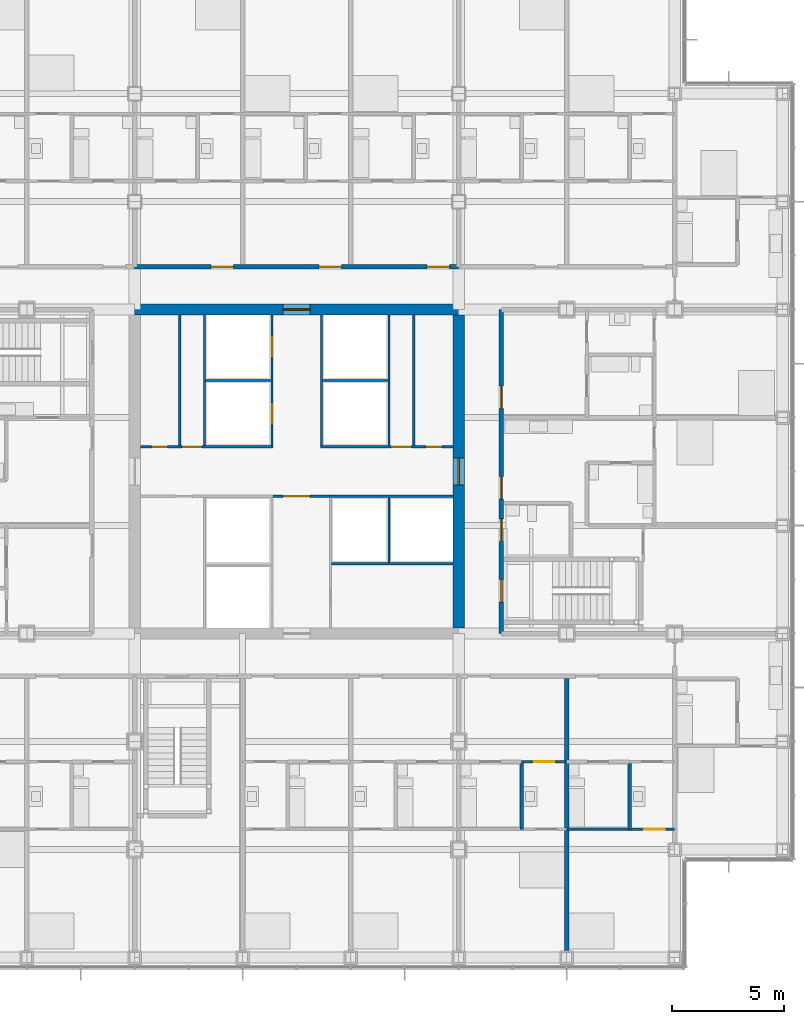
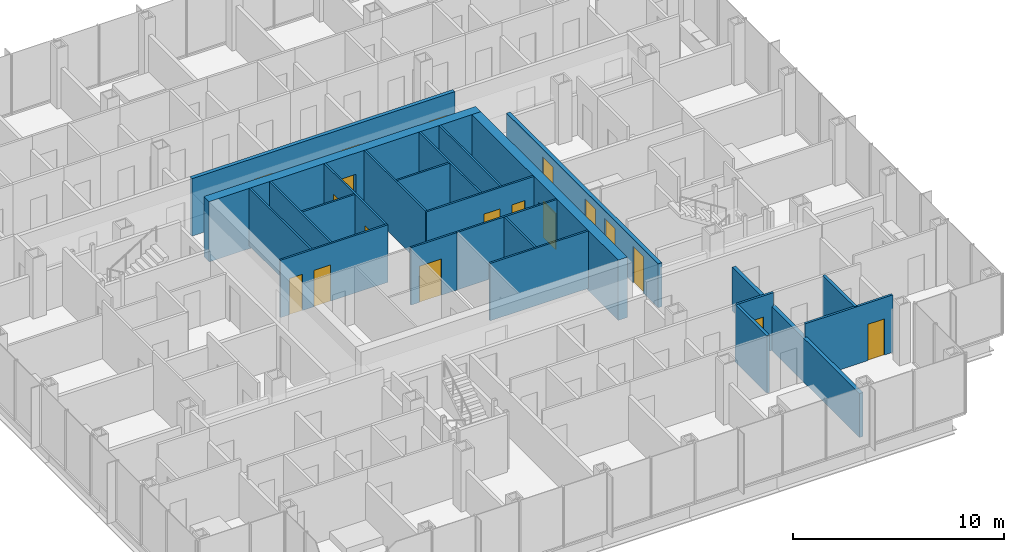
# One storey, part 16 of 22: 23 walls, 18 doors, 18 openings.
"""IFC4 building model written with IfcOpenShell, lengths in metres."""

from ifc_helpers import new_model, si_unit, direction, frame, frame_2d, origin, place, context, subcontext, project, spatial, rectangle, extrude, material, layer, layer_set, type_object, element, fill, save


model = new_model("IFC4")

# Units and contexts
model_context = context("Model", 3, precision=1e-05, world=origin(), true_north=direction((0.0, 1.0)))
body_context = subcontext(model_context, "Body", "Model", "MODEL_VIEW")
ifc_project = project(units=[si_unit("LENGTHUNIT", "METRE"), si_unit("AREAUNIT", "SQUARE_METRE"), si_unit("VOLUMEUNIT", "CUBIC_METRE"), si_unit("PLANEANGLEUNIT", "RADIAN"), si_unit("MASSUNIT", "GRAM", prefix="KILO")], contexts=[model_context])

# Site, building, storey
site_placement = place(None, origin())
site = spatial("IfcSite", under=ifc_project, at=site_placement, CompositionType="ELEMENT")
building_placement = place(site_placement, origin())
building = spatial("IfcBuilding", under=site, at=building_placement, Name="Kvirike Care Tower", CompositionType="ELEMENT")
storey_placement = place(building_placement, frame((0.0, 0.0, 72.5)))
storey = spatial("IfcBuildingStorey", under=building, at=storey_placement, Name="L19", CompositionType="ELEMENT", Elevation=72.5)

# Walls
ifc_material_1 = material(Name="Moisture-resistant board partition", Category="gypsum")
ifc_layer_1 = layer(ifc_material_1, 0.14990234375)
ifc_layer_set_1 = layer_set([ifc_layer_1], Name="BATHROOM WALL 150")
wall_type_1 = type_object("IfcWallType", Name="BATHROOM WALL 150", PredefinedType="PARTITIONING", material=ifc_layer_set_1)
for number, where, z_axis, x_axis, name in (
    (1, (31.60009765625, 20.10009765625, 0.0), (0.0, 0.0, 1.0), (0.0, 1.0, 0.0), "Bathroom Wall 150 L19"),
    (2, (36.39990234375, 20.10009765625, 0.0), (0.0, 0.0, 1.0), (0.0, 1.0, 0.0), "Bathroom Wall 150 L19"),
):
    element("IfcWall", number, at=place(storey_placement, frame(where, z_axis=z_axis, x_axis=x_axis)), inside=storey, type_object=wall_type_1, Name=name, PredefinedType="PARTITIONING", context=body_context, shape_type="SweptSolid", body=[
        extrude(rectangle(XDim=3.0, YDim=0.14990234375, at=frame_2d((1.5, 0.0))), origin(), (0.0, 0.0, 1.0), 3.330078125),
    ])

# Wall, opening, door
ifc_material_2 = material(Name="Concrete C60/75", Category="concrete")
ifc_layer_2 = layer(ifc_material_2, 0.5)
ifc_layer_set_2 = layer_set([ifc_layer_2], Name="CORE WALL 500 C60-75")
wall_type_2 = type_object("IfcWallType", Name="CORE WALL 500 C60-75", PredefinedType="SHEAR", material=ifc_layer_set_2)
wall_1_placement = place(storey_placement, frame((29.050048828125, 43.199951171875, -0.169921875), z_axis=(0.0, 0.0, 1.0), x_axis=(-1.0, 0.0, 0.0)))
wall_1 = element("IfcWall", 3, at=wall_1_placement, inside=storey, type_object=wall_type_2, Name="Core wall N L19", PredefinedType="SHEAR", context=body_context, shape_type="SweptSolid", body=[
    extrude(rectangle(XDim=14.900146484375, YDim=0.5, at=frame_2d((7.4501953125, 0.0))), origin(), (0.0, 0.0, 1.0), 3.5),
])
opening_1_placement = place(wall_1_placement, frame((6.85009765625, 0.0, 0.169921875)))
opening_1 = element("IfcOpeningElement", 4, at=opening_1_placement, cuts=wall_1, Name="Opening 19-101", PredefinedType="OPENING", context=body_context, shape_type="SweptSolid", body=[
    extrude(rectangle(XDim=1.199951171875, YDim=2.10009765625, at=frame_2d((0.60009765625, 1.050048828125))), frame((0.0, 0.260498046875, 0.0), z_axis=(0.0, -1.0, 0.0), x_axis=(1.0, 0.0, 0.0)), (0.0, 0.0, 1.0), 0.52099609375),
])
ifc_material_3 = material(Name="Timber door set", Category="wood")
door_type_1 = type_object("IfcDoorType", Name="CORE DOOR 1200", OperationType="SINGLE_SWING_LEFT", PredefinedType="DOOR", material=ifc_material_3)
door_1_placement = place(opening_1_placement, origin())
door_1 = element("IfcDoor", 5, at=door_1_placement, inside=storey, type_object=door_type_1, Name="Core door N L19", OperationType="SINGLE_SWING_LEFT", OverallHeight=2.10009765625, OverallWidth=1.199951171875, PredefinedType="DOOR", context=body_context, shape_type="SweptSolid", body=[
    extrude(rectangle(XDim=1.199951171875, YDim=2.10009765625, at=frame_2d((0.60009765625, 1.050048828125))), frame((0.0, 0.02685546875, 0.0), z_axis=(0.0, -1.0, 0.0), x_axis=(1.0, 0.0, 0.0)), (0.0, 0.0, 1.0), 0.053955078125),
])
fill(opening_1, door_1)

wall_2_placement = place(storey_placement, frame((28.800048828125, 29.050048828125, -0.169921875), z_axis=(0.0, 0.0, 1.0), x_axis=(0.0, 1.0, 0.0)))
wall_2 = element("IfcWall", 6, at=wall_2_placement, inside=storey, type_object=wall_type_2, Name="Core wall E L19", PredefinedType="SHEAR", context=body_context, shape_type="SweptSolid", body=[
    extrude(rectangle(XDim=13.89990234375, YDim=0.5, at=frame_2d((6.949951171875, 0.0))), origin(), (0.0, 0.0, 1.0), 3.5),
])
opening_2_placement = place(wall_2_placement, frame((6.35009765625, 0.0, 0.169921875)))
opening_2 = element("IfcOpeningElement", 7, at=opening_2_placement, cuts=wall_2, Name="Opening 19-100", PredefinedType="OPENING", context=body_context, shape_type="SweptSolid", body=[
    extrude(rectangle(XDim=1.199951171875, YDim=2.10009765625, at=frame_2d((0.60009765625, 1.050048828125))), frame((0.0, 0.260498046875, 0.0), z_axis=(0.0, -1.0, 0.0), x_axis=(1.0, 0.0, 0.0)), (0.0, 0.0, 1.0), 0.52099609375),
])
door_2_placement = place(opening_2_placement, origin())
door_2 = element("IfcDoor", 8, at=door_2_placement, inside=storey, type_object=door_type_1, Name="Core door E L19", OperationType="SINGLE_SWING_LEFT", OverallHeight=2.10009765625, OverallWidth=1.199951171875, PredefinedType="DOOR", context=body_context, shape_type="SweptSolid", body=[
    extrude(rectangle(XDim=1.199951171875, YDim=2.10009765625, at=frame_2d((0.60009765625, 1.050048828125))), frame((0.0, 0.02685546875, 0.0), z_axis=(0.0, -1.0, 0.0), x_axis=(1.0, 0.0, 0.0)), (0.0, 0.0, 1.0), 0.053955078125),
])
fill(opening_2, door_2)

# Wall, openings, doors
ifc_material_4 = material(Name="Plasterboard corridor wall", Category="gypsum")
ifc_layer_3 = layer(ifc_material_4, 0.199951171875)
ifc_layer_set_3 = layer_set([ifc_layer_3], Name="CORRIDOR WALL 200")
wall_type_3 = type_object("IfcWallType", Name="CORRIDOR WALL 200", PredefinedType="PARTITIONING", material=ifc_layer_set_3)
wall_3_placement = place(storey_placement, frame((28.800048828125, 45.10009765625, 0.0), z_axis=(0.0, 0.0, 1.0), x_axis=(-1.0, 0.0, 0.0)))
wall_3 = element("IfcWall", 9, at=wall_3_placement, inside=storey, type_object=wall_type_3, Name="Corridor Wall 200 L19", PredefinedType="PARTITIONING", context=body_context, shape_type="SweptSolid", body=[
    extrude(rectangle(XDim=14.400146484375, YDim=0.199951171875, at=frame_2d((7.2001953125, 0.0))), origin(), (0.0, 0.0, 1.0), 3.330078125),
])
opening_3_placement = place(wall_3_placement, frame((0.39990234375, 0.0, 0.0)))
opening_3 = element("IfcOpeningElement", 10, at=opening_3_placement, cuts=wall_3, Name="Opening 19-052", PredefinedType="OPENING", context=body_context, shape_type="SweptSolid", body=[
    extrude(rectangle(XDim=1.0, YDim=2.10009765625, at=frame_2d((0.5, 1.050048828125))), frame((0.0, 0.110595703125, 0.0), z_axis=(0.0, -1.0, 0.0), x_axis=(1.0, 0.0, 0.0)), (0.0, 0.0, 1.0), 0.220947265625),
])
opening_4_placement = place(wall_3_placement, frame((5.199951171875, 0.0, 0.0)))
opening_4 = element("IfcOpeningElement", 11, at=opening_4_placement, cuts=wall_3, Name="Opening 19-053", PredefinedType="OPENING", context=body_context, shape_type="SweptSolid", body=[
    extrude(rectangle(XDim=1.0, YDim=2.10009765625, at=frame_2d((0.5, 1.050048828125))), frame((0.0, 0.110595703125, 0.0), z_axis=(0.0, -1.0, 0.0), x_axis=(1.0, 0.0, 0.0)), (0.0, 0.0, 1.0), 0.220947265625),
])
opening_5_placement = place(wall_3_placement, frame((10.0, 0.0, 0.0)))
opening_5 = element("IfcOpeningElement", 12, at=opening_5_placement, cuts=wall_3, Name="Opening 19-054", PredefinedType="OPENING", context=body_context, shape_type="SweptSolid", body=[
    extrude(rectangle(XDim=1.0, YDim=2.10009765625, at=frame_2d((0.5, 1.050048828125))), frame((0.0, 0.110595703125, 0.0), z_axis=(0.0, -1.0, 0.0), x_axis=(1.0, 0.0, 0.0)), (0.0, 0.0, 1.0), 0.220947265625),
])
ifc_material_5 = material(Name="Timber door set", Category="wood")
door_type_2 = type_object("IfcDoorType", Name="FLAT ENTRANCE DOOR 1000", OperationType="SINGLE_SWING_LEFT", PredefinedType="DOOR", material=ifc_material_5)
door_3_placement = place(opening_3_placement, frame((1.0, 0.0, 0.0), z_axis=(0.0, 0.0, 1.0), x_axis=(-1.0, 0.0, 0.0)))
door_3 = element("IfcDoor", 13, at=door_3_placement, inside=storey, type_object=door_type_2, Name="Studio apartment entrance", OperationType="SINGLE_SWING_LEFT", OverallHeight=2.10009765625, OverallWidth=1.0, PredefinedType="DOOR", context=body_context, shape_type="SweptSolid", body=[
    extrude(rectangle(XDim=1.0, YDim=2.10009765625, at=frame_2d((0.5, 1.050048828125))), frame((0.0, 0.02685546875, 0.0), z_axis=(0.0, -1.0, 0.0), x_axis=(1.0, 0.0, 0.0)), (0.0, 0.0, 1.0), 0.053955078125),
])
fill(opening_3, door_3)
door_4_placement = place(opening_4_placement, frame((1.0, 0.0, 0.0), z_axis=(0.0, 0.0, 1.0), x_axis=(-1.0, 0.0, 0.0)))
door_4 = element("IfcDoor", 14, at=door_4_placement, inside=storey, type_object=door_type_2, Name="Studio apartment entrance", OperationType="SINGLE_SWING_RIGHT", OverallHeight=2.10009765625, OverallWidth=1.0, PredefinedType="DOOR", context=body_context, shape_type="SweptSolid", body=[
    extrude(rectangle(XDim=1.0, YDim=2.10009765625, at=frame_2d((0.5, 1.050048828125))), frame((0.0, 0.02685546875, 0.0), z_axis=(0.0, -1.0, 0.0), x_axis=(1.0, 0.0, 0.0)), (0.0, 0.0, 1.0), 0.053955078125),
])
fill(opening_4, door_4)
door_5_placement = place(opening_5_placement, frame((1.0, 0.0, 0.0), z_axis=(0.0, 0.0, 1.0), x_axis=(-1.0, 0.0, 0.0)))
door_5 = element("IfcDoor", 15, at=door_5_placement, inside=storey, type_object=door_type_2, Name="Studio apartment entrance", OperationType="SINGLE_SWING_LEFT", OverallHeight=2.10009765625, OverallWidth=1.0, PredefinedType="DOOR", context=body_context, shape_type="SweptSolid", body=[
    extrude(rectangle(XDim=1.0, YDim=2.10009765625, at=frame_2d((0.5, 1.050048828125))), frame((0.0, 0.02685546875, 0.0), z_axis=(0.0, -1.0, 0.0), x_axis=(1.0, 0.0, 0.0)), (0.0, 0.0, 1.0), 0.053955078125),
])
fill(opening_5, door_5)

wall_4_placement = place(storey_placement, frame((30.699951171875, 28.800048828125, 0.0), z_axis=(0.0, 0.0, 1.0), x_axis=(0.0, 1.0, 0.0)))
wall_4 = element("IfcWall", 16, at=wall_4_placement, inside=storey, type_object=wall_type_3, Name="Corridor Wall 200 L19", PredefinedType="PARTITIONING", context=body_context, shape_type="SweptSolid", body=[
    extrude(rectangle(XDim=14.39990234375, YDim=0.199951171875, at=frame_2d((7.199951171875, 0.0))), origin(), (0.0, 0.0, 1.0), 2.550048828125),
])
opening_6_placement = place(wall_4_placement, frame((1.39990234375, 0.0, 0.0)))
opening_6 = element("IfcOpeningElement", 17, at=opening_6_placement, cuts=wall_4, Name="Opening 19-072", PredefinedType="OPENING", context=body_context, shape_type="SweptSolid", body=[
    extrude(rectangle(XDim=1.0, YDim=2.10009765625, at=frame_2d((0.5, 1.050048828125))), frame((0.0, 0.110595703125, 0.0), z_axis=(0.0, -1.0, 0.0), x_axis=(1.0, 0.0, 0.0)), (0.0, 0.0, 1.0), 0.220947265625),
])
opening_7_placement = place(wall_4_placement, frame((4.10009765625, 0.0, 0.0)))
opening_7 = element("IfcOpeningElement", 18, at=opening_7_placement, cuts=wall_4, Name="Opening 19-073", PredefinedType="OPENING", context=body_context, shape_type="SweptSolid", body=[
    extrude(rectangle(XDim=1.0, YDim=2.10009765625, at=frame_2d((0.5, 1.050048828125))), frame((0.0, 0.110595703125, 0.0), z_axis=(0.0, -1.0, 0.0), x_axis=(1.0, 0.0, 0.0)), (0.0, 0.0, 1.0), 0.220947265625),
])
opening_8_placement = place(wall_4_placement, frame((5.97509765625, 0.0, 0.0)))
opening_8 = element("IfcOpeningElement", 19, at=opening_8_placement, cuts=wall_4, Name="Opening 19-074", PredefinedType="OPENING", context=body_context, shape_type="SweptSolid", body=[
    extrude(rectangle(XDim=1.0, YDim=2.10009765625, at=frame_2d((0.5, 1.050048828125))), frame((0.0, 0.110595703125, 0.0), z_axis=(0.0, -1.0, 0.0), x_axis=(1.0, 0.0, 0.0)), (0.0, 0.0, 1.0), 0.220947265625),
])
opening_9_placement = place(wall_4_placement, frame((10.0, 0.0, 0.0)))
opening_9 = element("IfcOpeningElement", 20, at=opening_9_placement, cuts=wall_4, Name="Opening 19-075", PredefinedType="OPENING", context=body_context, shape_type="SweptSolid", body=[
    extrude(rectangle(XDim=1.0, YDim=2.10009765625, at=frame_2d((0.5, 1.050048828125))), frame((0.0, 0.110595703125, 0.0), z_axis=(0.0, -1.0, 0.0), x_axis=(1.0, 0.0, 0.0)), (0.0, 0.0, 1.0), 0.220947265625),
])
door_6_placement = place(opening_8_placement, frame((1.0, 0.0, 0.0), z_axis=(0.0, 0.0, 1.0), x_axis=(-1.0, 0.0, 0.0)))
door_6 = element("IfcDoor", 21, at=door_6_placement, inside=storey, type_object=door_type_2, Name="One-bedroom apartment entrance", OperationType="SINGLE_SWING_LEFT", OverallHeight=2.10009765625, OverallWidth=1.0, PredefinedType="DOOR", context=body_context, shape_type="SweptSolid", body=[
    extrude(rectangle(XDim=1.0, YDim=2.10009765625, at=frame_2d((0.5, 1.050048828125))), frame((0.0, 0.02685546875, 0.0), z_axis=(0.0, -1.0, 0.0), x_axis=(1.0, 0.0, 0.0)), (0.0, 0.0, 1.0), 0.053955078125),
])
fill(opening_8, door_6)
door_7_placement = place(opening_9_placement, frame((1.0, 0.0, 0.0), z_axis=(0.0, 0.0, 1.0), x_axis=(-1.0, 0.0, 0.0)))
door_7 = element("IfcDoor", 22, at=door_7_placement, inside=storey, type_object=door_type_2, Name="Studio apartment entrance", OperationType="SINGLE_SWING_LEFT", OverallHeight=2.10009765625, OverallWidth=1.0, PredefinedType="DOOR", context=body_context, shape_type="SweptSolid", body=[
    extrude(rectangle(XDim=1.0, YDim=2.10009765625, at=frame_2d((0.5, 1.050048828125))), frame((0.0, 0.02685546875, 0.0), z_axis=(0.0, -1.0, 0.0), x_axis=(1.0, 0.0, 0.0)), (0.0, 0.0, 1.0), 0.053955078125),
])
fill(opening_9, door_7)
ifc_material_6 = material(Name="Timber door set", Category="wood")
door_type_3 = type_object("IfcDoorType", Name="STAIR DOOR 1000", OperationType="SINGLE_SWING_LEFT", PredefinedType="DOOR", material=ifc_material_6)
door_8_placement = place(opening_6_placement, frame((1.0, 0.0, 0.0), z_axis=(0.0, 0.0, 1.0), x_axis=(-1.0, 0.0, 0.0)))
door_8 = element("IfcDoor", 23, at=door_8_placement, inside=storey, type_object=door_type_3, Name="Stair 2 door", OperationType="SINGLE_SWING_LEFT", OverallHeight=2.10009765625, OverallWidth=1.0, PredefinedType="DOOR", context=body_context, shape_type="SweptSolid", body=[
    extrude(rectangle(XDim=1.0, YDim=2.10009765625, at=frame_2d((0.5, 1.050048828125))), frame((0.0, 0.031982421875, 0.0), z_axis=(0.0, -1.0, 0.0), x_axis=(1.0, 0.0, 0.0)), (0.0, 0.0, 1.0), 0.06396484375),
])
fill(opening_6, door_8)
ifc_material_7 = material(Name="Timber door set", Category="wood")
door_type_4 = type_object("IfcDoorType", Name="WC DOOR 1000", OperationType="SINGLE_SWING_LEFT", PredefinedType="DOOR", material=ifc_material_7)
door_9_placement = place(opening_7_placement, frame((1.0, 0.0, 0.0), z_axis=(0.0, 0.0, 1.0), x_axis=(-1.0, 0.0, 0.0)))
door_9 = element("IfcDoor", 24, at=door_9_placement, inside=storey, type_object=door_type_4, Name="Accessible WC door", OperationType="SINGLE_SWING_LEFT", OverallHeight=2.10009765625, OverallWidth=1.0, PredefinedType="DOOR", context=body_context, shape_type="SweptSolid", body=[
    extrude(rectangle(XDim=1.0, YDim=2.10009765625, at=frame_2d((0.5, 1.050048828125))), frame((0.0, 0.02685546875, 0.0), z_axis=(0.0, -1.0, 0.0), x_axis=(1.0, 0.0, 0.0)), (0.0, 0.0, 1.0), 0.053955078125),
])
fill(opening_7, door_9)

# Wall, opening, door
ifc_material_8 = material(Name="Plasterboard partition", Category="gypsum")
ifc_layer_4 = layer(ifc_material_8, 0.1201171875)
ifc_layer_set_4 = layer_set([ifc_layer_4], Name="PARTITION 120")
wall_type_4 = type_object("IfcWallType", Name="PARTITION 120", PredefinedType="PARTITIONING", material=ifc_layer_set_4)
wall_5_placement = place(storey_placement, frame((31.60009765625, 23.10009765625, 0.0), z_axis=(0.0, 0.0, 1.0), x_axis=(1.0, 0.0, 0.0)))
wall_5 = element("IfcWall", 25, at=wall_5_placement, inside=storey, type_object=wall_type_4, Name="Partition 120 L19", PredefinedType="PARTITIONING", context=body_context, shape_type="SweptSolid", body=[
    extrude(rectangle(XDim=2.0, YDim=0.1201171875, at=frame_2d((1.0, 0.0))), origin(), (0.0, 0.0, 1.0), 3.330078125),
])
opening_10_placement = place(wall_5_placement, frame((0.550048828125, 0.0, 0.0)))
opening_10 = element("IfcOpeningElement", 26, at=opening_10_placement, cuts=wall_5, Name="Opening 19-056", PredefinedType="OPENING", context=body_context, shape_type="SweptSolid", body=[
    extrude(rectangle(XDim=0.89990234375, YDim=2.10009765625, at=frame_2d((0.449951171875, 1.050048828125))), frame((0.0, 0.070556640625, 0.0), z_axis=(0.0, -1.0, 0.0), x_axis=(1.0, 0.0, 0.0)), (0.0, 0.0, 1.0), 0.14111328125),
])
ifc_material_9 = material(Name="Timber door set", Category="wood")
door_type_5 = type_object("IfcDoorType", Name="INTERNAL DOOR 900", OperationType="SINGLE_SWING_LEFT", PredefinedType="DOOR", material=ifc_material_9)
door_10_placement = place(opening_10_placement, frame((0.89990234375, 0.0, 0.0), z_axis=(0.0, 0.0, 1.0), x_axis=(-1.0, 0.0, 0.0)))
door_10 = element("IfcDoor", 27, at=door_10_placement, inside=storey, type_object=door_type_5, Name="Kitchen door", OperationType="SINGLE_SWING_RIGHT", OverallHeight=2.10009765625, OverallWidth=0.89990234375, PredefinedType="DOOR", context=body_context, shape_type="SweptSolid", body=[
    extrude(rectangle(XDim=0.89990234375, YDim=2.10009765625, at=frame_2d((0.449951171875, 1.050048828125))), frame((0.0, 0.02197265625, 0.0), z_axis=(0.0, -1.0, 0.0), x_axis=(1.0, 0.0, 0.0)), (0.0, 0.0, 1.0), 0.0439453125),
])
fill(opening_10, door_10)

wall_6_placement = place(storey_placement, frame((33.60009765625, 20.10009765625, 0.0), z_axis=(0.0, 0.0, 1.0), x_axis=(1.0, 0.0, 0.0)))
wall_6 = element("IfcWall", 28, at=wall_6_placement, inside=storey, type_object=wall_type_4, Name="Partition 120 L19", PredefinedType="PARTITIONING", context=body_context, shape_type="SweptSolid", body=[
    extrude(rectangle(XDim=4.7998046875, YDim=0.1201171875, at=frame_2d((2.39990234375, 0.0))), origin(), (0.0, 0.0, 1.0), 3.330078125),
])
opening_11_placement = place(wall_6_placement, frame((3.449951171875, 0.0, 0.0)))
opening_11 = element("IfcOpeningElement", 29, at=opening_11_placement, cuts=wall_6, Name="Opening 19-060", PredefinedType="OPENING", context=body_context, shape_type="SweptSolid", body=[
    extrude(rectangle(XDim=0.89990234375, YDim=2.10009765625, at=frame_2d((0.449951171875, 1.050048828125))), frame((0.0, 0.070556640625, 0.0), z_axis=(0.0, -1.0, 0.0), x_axis=(1.0, 0.0, 0.0)), (0.0, 0.0, 1.0), 0.14111328125),
])
door_11_placement = place(opening_11_placement, origin())
door_11 = element("IfcDoor", 30, at=door_11_placement, inside=storey, type_object=door_type_5, Name="Studio apartment living room door", OperationType="SINGLE_SWING_LEFT", OverallHeight=2.10009765625, OverallWidth=0.89990234375, PredefinedType="DOOR", context=body_context, shape_type="SweptSolid", body=[
    extrude(rectangle(XDim=0.89990234375, YDim=2.10009765625, at=frame_2d((0.449951171875, 1.050048828125))), frame((0.0, 0.02197265625, 0.0), z_axis=(0.0, -1.0, 0.0), x_axis=(1.0, 0.0, 0.0)), (0.0, 0.0, 1.0), 0.0439453125),
])
fill(opening_11, door_11)

# Walls
ifc_material_10 = material(Name="Plasterboard party wall", Category="gypsum")
ifc_layer_5 = layer(ifc_material_10, 0.199951171875)
ifc_layer_set_5 = layer_set([ifc_layer_5], Name="PARTY WALL 200")
wall_type_5 = type_object("IfcWallType", Name="PARTY WALL 200", PredefinedType="PARTITIONING", material=ifc_layer_set_5)
wall_7_placement = place(storey_placement, frame((33.60009765625, 14.719970703125, 0.0), z_axis=(0.0, 0.0, 1.0), x_axis=(0.0, 1.0, 0.0)))
element("IfcWall", 31, at=wall_7_placement, inside=storey, type_object=wall_type_5, Name="Party Wall 200 L19", PredefinedType="PARTITIONING", context=body_context, shape_type="SweptSolid", body=[
    extrude(rectangle(XDim=12.080078125, YDim=0.199951171875, at=frame_2d((6.0400390625, 0.0))), origin(), (0.0, 0.0, 1.0), 2.550048828125),
])
ifc_material_11 = material(Name="Gypsum shaft wall system", Category="gypsum")
ifc_layer_6 = layer(ifc_material_11, 0.10009765625)
ifc_layer_set_6 = layer_set([ifc_layer_6], Name="SHAFT WALL 100")
wall_type_6 = type_object("IfcWallType", Name="SHAFT WALL 100", PredefinedType="SOLIDWALL", material=ifc_layer_set_6)
for number, where, z_axis, x_axis, name in (
    (32, (16.39990234375, 37.14990234375, 0.0), (0.0, 0.0, 1.0), (0.0, 1.0, 0.0), "Shaft Wall 100 L19"),
    (33, (26.800048828125, 37.14990234375, 0.0), (0.0, 0.0, 1.0), (0.0, 1.0, 0.0), "Shaft Wall 100 L19"),
):
    element("IfcWall", number, at=place(storey_placement, frame(where, z_axis=z_axis, x_axis=x_axis)), inside=storey, type_object=wall_type_6, Name=name, PredefinedType="SOLIDWALL", context=body_context, shape_type="SweptSolid", body=[
        extrude(rectangle(XDim=5.800048828125, YDim=0.10009765625, at=frame_2d((2.89990234375, 0.0))), origin(), (0.0, 0.0, 1.0), 3.330078125),
    ])

# Wall, openings, doors
wall_8_placement = place(storey_placement, frame((20.5, 37.14990234375, 0.0), z_axis=(0.0, 0.0, 1.0), x_axis=(0.0, 1.0, 0.0)))
wall_8 = element("IfcWall", 34, at=wall_8_placement, inside=storey, type_object=wall_type_6, Name="Shaft Wall 100 L19", PredefinedType="SOLIDWALL", context=body_context, shape_type="SweptSolid", body=[
    extrude(rectangle(XDim=5.800048828125, YDim=0.10009765625, at=frame_2d((2.89990234375, 0.0))), origin(), (0.0, 0.0, 1.0), 3.330078125),
])
opening_12_placement = place(wall_8_placement, frame((0.925048828125, 0.0, 0.0)))
opening_12 = element("IfcOpeningElement", 35, at=opening_12_placement, cuts=wall_8, Name="Opening 19-089", PredefinedType="OPENING", context=body_context, shape_type="SweptSolid", body=[
    extrude(rectangle(XDim=1.0, YDim=2.10009765625, at=frame_2d((0.5, 1.050048828125))), frame((0.0, 0.060546875, 0.0), z_axis=(0.0, -1.0, 0.0), x_axis=(1.0, 0.0, 0.0)), (0.0, 0.0, 1.0), 0.12109375),
])
opening_13_placement = place(wall_8_placement, frame((3.89990234375, 0.0, 0.0)))
opening_13 = element("IfcOpeningElement", 36, at=opening_13_placement, cuts=wall_8, Name="Opening 19-090", PredefinedType="OPENING", context=body_context, shape_type="SweptSolid", body=[
    extrude(rectangle(XDim=1.0, YDim=2.10009765625, at=frame_2d((0.5, 1.050048828125))), frame((0.0, 0.060546875, 0.0), z_axis=(0.0, -1.0, 0.0), x_axis=(1.0, 0.0, 0.0)), (0.0, 0.0, 1.0), 0.12109375),
])
ifc_material_12 = material(Name="Aluminium door frame", Category="aluminium")
door_type_6 = type_object("IfcDoorType", Name="LIFT LANDING DOOR 1000", OperationType="SLIDING_TO_LEFT", PredefinedType="DOOR", material=ifc_material_12)
door_12_placement = place(opening_12_placement, origin())
door_12 = element("IfcDoor", 37, at=door_12_placement, inside=storey, type_object=door_type_6, Name="Lift P1 landing door", OperationType="SLIDING_TO_LEFT", OverallHeight=2.10009765625, OverallWidth=1.0, PredefinedType="DOOR", context=body_context, shape_type="SweptSolid", body=[
    extrude(rectangle(XDim=1.0, YDim=2.10009765625, at=frame_2d((0.5, 1.050048828125))), frame((0.0, 0.0498046875, 0.0), z_axis=(0.0, -1.0, 0.0), x_axis=(1.0, 0.0, 0.0)), (0.0, 0.0, 1.0), 0.099609375),
])
fill(opening_12, door_12)
door_13_placement = place(opening_13_placement, origin())
door_13 = element("IfcDoor", 38, at=door_13_placement, inside=storey, type_object=door_type_6, Name="Lift P2 landing door", OperationType="SLIDING_TO_LEFT", OverallHeight=2.10009765625, OverallWidth=1.0, PredefinedType="DOOR", context=body_context, shape_type="SweptSolid", body=[
    extrude(rectangle(XDim=1.0, YDim=2.10009765625, at=frame_2d((0.5, 1.050048828125))), frame((0.0, 0.0498046875, 0.0), z_axis=(0.0, -1.0, 0.0), x_axis=(1.0, 0.0, 0.0)), (0.0, 0.0, 1.0), 0.099609375),
])
fill(opening_13, door_13)

# Walls
wall_9_placement = place(storey_placement, frame((22.699951171875, 37.14990234375, 0.0), z_axis=(0.0, 0.0, 1.0), x_axis=(0.0, 1.0, 0.0)))
element("IfcWall", 39, at=wall_9_placement, inside=storey, type_object=wall_type_6, Name="Shaft Wall 100 L19", PredefinedType="SOLIDWALL", context=body_context, shape_type="SweptSolid", body=[
    extrude(rectangle(XDim=5.800048828125, YDim=0.10009765625, at=frame_2d((2.89990234375, 0.0))), origin(), (0.0, 0.0, 1.0), 3.330078125),
])
wall_10_placement = place(storey_placement, frame((23.050048828125, 34.89990234375, 0.0), z_axis=(0.0, 0.0, 1.0), x_axis=(1.0, 0.0, 0.0)))
element("IfcWall", 40, at=wall_10_placement, inside=storey, type_object=wall_type_6, Name="Shaft Wall 100 L19", PredefinedType="SOLIDWALL", context=body_context, shape_type="SweptSolid", body=[
    extrude(rectangle(XDim=5.5, YDim=0.10009765625, at=frame_2d((2.75, 0.0))), origin(), (0.0, 0.0, 1.0), 3.330078125),
])

# Wall, openings, doors
wall_11_placement = place(storey_placement, frame((14.64990234375, 37.10009765625, 0.0), z_axis=(0.0, 0.0, 1.0), x_axis=(1.0, 0.0, 0.0)))
wall_11 = element("IfcWall", 41, at=wall_11_placement, inside=storey, type_object=wall_type_6, Name="Shaft Wall 100 L19", PredefinedType="SOLIDWALL", context=body_context, shape_type="SweptSolid", body=[
    extrude(rectangle(XDim=5.900146484375, YDim=0.10009765625, at=frame_2d((2.9501953125, 0.0))), origin(), (0.0, 0.0, 1.0), 3.330078125),
])
opening_14_placement = place(wall_11_placement, frame((0.5, 0.0, 0.0)))
opening_14 = element("IfcOpeningElement", 42, at=opening_14_placement, cuts=wall_11, Name="Opening 19-093", PredefinedType="OPENING", context=body_context, shape_type="SweptSolid", body=[
    extrude(rectangle(XDim=0.699951171875, YDim=2.10009765625, at=frame_2d((0.35009765625, 1.050048828125))), frame((0.0, 0.060546875, 0.0), z_axis=(0.0, -1.0, 0.0), x_axis=(1.0, 0.0, 0.0)), (0.0, 0.0, 1.0), 0.12109375),
])
opening_15_placement = place(wall_11_placement, frame((1.85009765625, 0.0, 0.0)))
opening_15 = element("IfcOpeningElement", 43, at=opening_15_placement, cuts=wall_11, Name="Opening 19-094", PredefinedType="OPENING", context=body_context, shape_type="SweptSolid", body=[
    extrude(rectangle(XDim=0.89990234375, YDim=2.10009765625, at=frame_2d((0.449951171875, 1.050048828125))), frame((0.0, 0.060546875, 0.0), z_axis=(0.0, -1.0, 0.0), x_axis=(1.0, 0.0, 0.0)), (0.0, 0.0, 1.0), 0.12109375),
])
ifc_material_13 = material(Name="Timber door set", Category="wood")
door_type_7 = type_object("IfcDoorType", Name="RISER DOOR 700", OperationType="SINGLE_SWING_LEFT", PredefinedType="DOOR", material=ifc_material_13)
door_14_placement = place(opening_14_placement, origin())
door_14 = element("IfcDoor", 44, at=door_14_placement, inside=storey, type_object=door_type_7, Name="Riser door", OperationType="SINGLE_SWING_RIGHT", OverallHeight=2.10009765625, OverallWidth=0.699951171875, PredefinedType="DOOR", context=body_context, shape_type="SweptSolid", body=[
    extrude(rectangle(XDim=0.699951171875, YDim=2.10009765625, at=frame_2d((0.35009765625, 1.050048828125))), frame((0.0, 0.02685546875, 0.0), z_axis=(0.0, -1.0, 0.0), x_axis=(1.0, 0.0, 0.0)), (0.0, 0.0, 1.0), 0.053955078125),
])
fill(opening_14, door_14)
ifc_material_14 = material(Name="Timber door set", Category="wood")
door_type_8 = type_object("IfcDoorType", Name="STORE DOOR 900", OperationType="SINGLE_SWING_LEFT", PredefinedType="DOOR", material=ifc_material_14)
door_15_placement = place(opening_15_placement, origin())
door_15 = element("IfcDoor", 45, at=door_15_placement, inside=storey, type_object=door_type_8, Name="Vending and ice room door", OperationType="SINGLE_SWING_RIGHT", OverallHeight=2.10009765625, OverallWidth=0.89990234375, PredefinedType="DOOR", context=body_context, shape_type="SweptSolid", body=[
    extrude(rectangle(XDim=0.89990234375, YDim=2.10009765625, at=frame_2d((0.449951171875, 1.050048828125))), frame((0.0, 0.02685546875, 0.0), z_axis=(0.0, -1.0, 0.0), x_axis=(1.0, 0.0, 0.0)), (0.0, 0.0, 1.0), 0.053955078125),
])
fill(opening_15, door_15)

wall_12_placement = place(storey_placement, frame((22.64990234375, 37.10009765625, 0.0), z_axis=(0.0, 0.0, 1.0), x_axis=(1.0, 0.0, 0.0)))
wall_12 = element("IfcWall", 46, at=wall_12_placement, inside=storey, type_object=wall_type_6, Name="Shaft Wall 100 L19", PredefinedType="SOLIDWALL", context=body_context, shape_type="SweptSolid", body=[
    extrude(rectangle(XDim=5.900146484375, YDim=0.10009765625, at=frame_2d((2.9501953125, 0.0))), origin(), (0.0, 0.0, 1.0), 3.330078125),
])
opening_16_placement = place(wall_12_placement, frame((3.14990234375, 0.0, 0.0)))
opening_16 = element("IfcOpeningElement", 47, at=opening_16_placement, cuts=wall_12, Name="Opening 19-095", PredefinedType="OPENING", context=body_context, shape_type="SweptSolid", body=[
    extrude(rectangle(XDim=0.89990234375, YDim=2.10009765625, at=frame_2d((0.449951171875, 1.050048828125))), frame((0.0, 0.060546875, 0.0), z_axis=(0.0, -1.0, 0.0), x_axis=(1.0, 0.0, 0.0)), (0.0, 0.0, 1.0), 0.12109375),
])
opening_17_placement = place(wall_12_placement, frame((4.699951171875, 0.0, 0.0)))
opening_17 = element("IfcOpeningElement", 48, at=opening_17_placement, cuts=wall_12, Name="Opening 19-096", PredefinedType="OPENING", context=body_context, shape_type="SweptSolid", body=[
    extrude(rectangle(XDim=0.699951171875, YDim=2.10009765625, at=frame_2d((0.35009765625, 1.050048828125))), frame((0.0, 0.060546875, 0.0), z_axis=(0.0, -1.0, 0.0), x_axis=(1.0, 0.0, 0.0)), (0.0, 0.0, 1.0), 0.12109375),
])
door_16_placement = place(opening_17_placement, origin())
door_16 = element("IfcDoor", 49, at=door_16_placement, inside=storey, type_object=door_type_7, Name="Riser door", OperationType="SINGLE_SWING_LEFT", OverallHeight=2.10009765625, OverallWidth=0.699951171875, PredefinedType="DOOR", context=body_context, shape_type="SweptSolid", body=[
    extrude(rectangle(XDim=0.699951171875, YDim=2.10009765625, at=frame_2d((0.35009765625, 1.050048828125))), frame((0.0, 0.02685546875, 0.0), z_axis=(0.0, -1.0, 0.0), x_axis=(1.0, 0.0, 0.0)), (0.0, 0.0, 1.0), 0.053955078125),
])
fill(opening_17, door_16)
door_17_placement = place(opening_16_placement, origin())
door_17 = element("IfcDoor", 50, at=door_17_placement, inside=storey, type_object=door_type_8, Name="Records store door", OperationType="SINGLE_SWING_LEFT", OverallHeight=2.10009765625, OverallWidth=0.89990234375, PredefinedType="DOOR", context=body_context, shape_type="SweptSolid", body=[
    extrude(rectangle(XDim=0.89990234375, YDim=2.10009765625, at=frame_2d((0.449951171875, 1.050048828125))), frame((0.0, 0.02685546875, 0.0), z_axis=(0.0, -1.0, 0.0), x_axis=(1.0, 0.0, 0.0)), (0.0, 0.0, 1.0), 0.053955078125),
])
fill(opening_16, door_17)

# Wall, opening, door
wall_13_placement = place(storey_placement, frame((20.550048828125, 34.89990234375, 0.0), z_axis=(0.0, 0.0, 1.0), x_axis=(1.0, 0.0, 0.0)))
wall_13 = element("IfcWall", 51, at=wall_13_placement, inside=storey, type_object=wall_type_6, Name="Shaft Wall 100 L19", PredefinedType="SOLIDWALL", context=body_context, shape_type="SweptSolid", body=[
    extrude(rectangle(XDim=2.5, YDim=0.10009765625, at=frame_2d((1.25, 0.0))), origin(), (0.0, 0.0, 1.0), 3.330078125),
])
opening_18_placement = place(wall_13_placement, frame((0.449951171875, 0.0, 0.0)))
opening_18 = element("IfcOpeningElement", 52, at=opening_18_placement, cuts=wall_13, Name="Opening 19-097", PredefinedType="OPENING", context=body_context, shape_type="SweptSolid", body=[
    extrude(rectangle(XDim=1.199951171875, YDim=2.10009765625, at=frame_2d((0.60009765625, 1.050048828125))), frame((0.0, 0.060546875, 0.0), z_axis=(0.0, -1.0, 0.0), x_axis=(1.0, 0.0, 0.0)), (0.0, 0.0, 1.0), 0.12109375),
])
door_18_placement = place(opening_18_placement, frame((1.199951171875, 0.0, 0.0), z_axis=(0.0, 0.0, 1.0), x_axis=(-1.0, 0.0, 0.0)))
door_18 = element("IfcDoor", 53, at=door_18_placement, inside=storey, type_object=door_type_1, Name="Fire-fighting lobby door", OperationType="SINGLE_SWING_LEFT", OverallHeight=2.10009765625, OverallWidth=1.199951171875, PredefinedType="DOOR", context=body_context, shape_type="SweptSolid", body=[
    extrude(rectangle(XDim=1.199951171875, YDim=2.10009765625, at=frame_2d((0.60009765625, 1.050048828125))), frame((0.0, 0.02685546875, 0.0), z_axis=(0.0, -1.0, 0.0), x_axis=(1.0, 0.0, 0.0)), (0.0, 0.0, 1.0), 0.053955078125),
])
fill(opening_18, door_18)

# Walls
wall_14_placement = place(storey_placement, frame((17.5, 37.14990234375, 0.0), z_axis=(0.0, 0.0, 1.0), x_axis=(0.0, 1.0, 0.0)))
element("IfcWall", 54, at=wall_14_placement, inside=storey, type_object=wall_type_6, Name="Shaft Wall 100 L19", PredefinedType="SOLIDWALL", context=body_context, shape_type="SweptSolid", body=[
    extrude(rectangle(XDim=5.800048828125, YDim=0.10009765625, at=frame_2d((2.89990234375, 0.0))), origin(), (0.0, 0.0, 1.0), 3.330078125),
])
for number, where, z_axis, x_axis, name in (
    (55, (17.550048828125, 40.050048828125, 0.0), (0.0, 0.0, 1.0), (1.0, 0.0, 0.0), "Shaft Wall 100 L19"),
    (56, (22.75, 40.050048828125, 0.0), (0.0, 0.0, 1.0), (1.0, 0.0, 0.0), "Shaft Wall 100 L19"),
):
    element("IfcWall", number, at=place(storey_placement, frame(where, z_axis=z_axis, x_axis=x_axis)), inside=storey, type_object=wall_type_6, Name=name, PredefinedType="SOLIDWALL", context=body_context, shape_type="SweptSolid", body=[
        extrude(rectangle(XDim=2.89990234375, YDim=0.10009765625, at=frame_2d((1.449951171875, 0.0))), origin(), (0.0, 0.0, 1.0), 3.330078125),
    ])
wall_15_placement = place(storey_placement, frame((25.699951171875, 37.14990234375, 0.0), z_axis=(0.0, 0.0, 1.0), x_axis=(0.0, 1.0, 0.0)))
element("IfcWall", 57, at=wall_15_placement, inside=storey, type_object=wall_type_6, Name="Shaft Wall 100 L19", PredefinedType="SOLIDWALL", context=body_context, shape_type="SweptSolid", body=[
    extrude(rectangle(XDim=5.800048828125, YDim=0.10009765625, at=frame_2d((2.89990234375, 0.0))), origin(), (0.0, 0.0, 1.0), 3.330078125),
])
wall_16_placement = place(storey_placement, frame((25.699951171875, 31.949951171875, 0.0), z_axis=(0.0, 0.0, 1.0), x_axis=(0.0, 1.0, 0.0)))
element("IfcWall", 58, at=wall_16_placement, inside=storey, type_object=wall_type_6, Name="Shaft Wall 100 L19", PredefinedType="SOLIDWALL", context=body_context, shape_type="SweptSolid", body=[
    extrude(rectangle(XDim=2.900146484375, YDim=0.10009765625, at=frame_2d((1.4501953125, 0.0))), origin(), (0.0, 0.0, 1.0), 3.330078125),
])
wall_17_placement = place(storey_placement, frame((23.14990234375, 31.89990234375, 0.0), z_axis=(0.0, 0.0, 1.0), x_axis=(1.0, 0.0, 0.0)))
element("IfcWall", 59, at=wall_17_placement, inside=storey, type_object=wall_type_6, Name="Shaft Wall 100 L19", PredefinedType="SOLIDWALL", context=body_context, shape_type="SweptSolid", body=[
    extrude(rectangle(XDim=5.400146484375, YDim=0.10009765625, at=frame_2d((2.7001953125, 0.0))), origin(), (0.0, 0.0, 1.0), 3.330078125),
])

save(model, "model.ifc")
